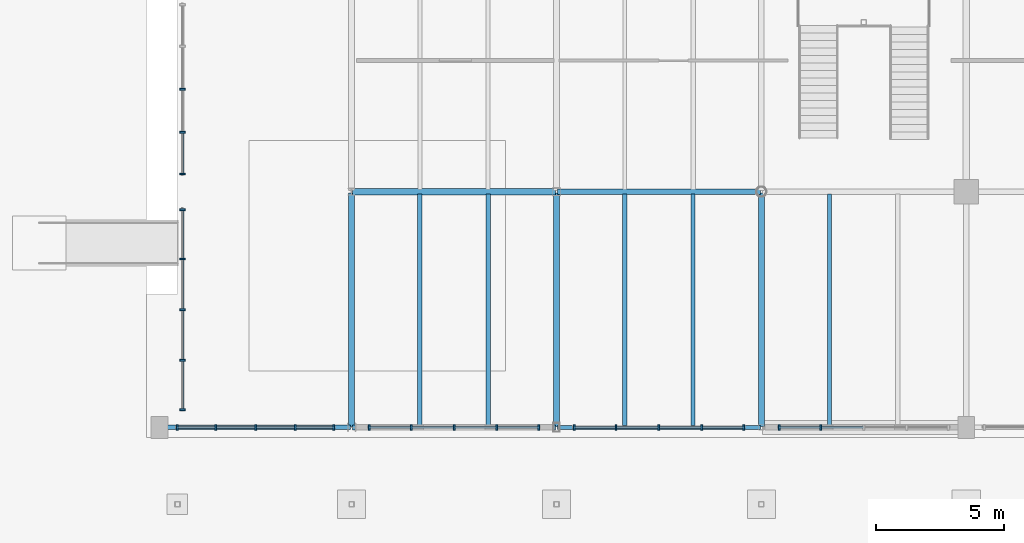
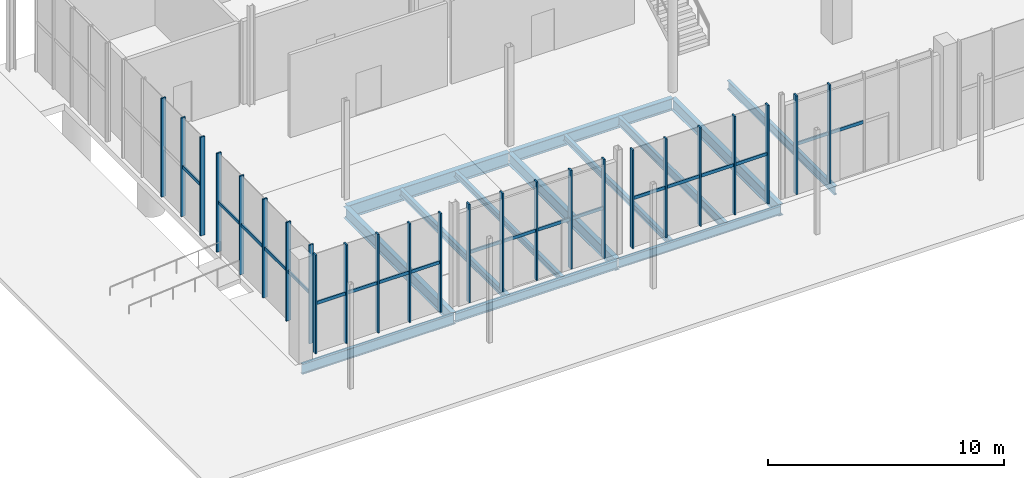
# One storey, part 34 of 87: 44 members, 13 beams, 6 elements without a shape of their own.
"""IFC4 building model written with IfcOpenShell, lengths in metres."""

from ifc_helpers import new_model, si_unit, direction, frame, origin, origin_2d, place, context, subcontext, project, spatial, rectangle, i_section, extrude, material, material_profile, profile_set, type_object, element, aggregate, save


model = new_model("IFC4")

# Units and contexts
model_context = context("Model", 3, precision=1e-05, world=origin(), true_north=direction((0.0, 1.0)))
body_context = subcontext(model_context, "Body", "Model", "MODEL_VIEW")
ifc_project = project(units=[si_unit("LENGTHUNIT", "METRE"), si_unit("AREAUNIT", "SQUARE_METRE"), si_unit("VOLUMEUNIT", "CUBIC_METRE"), si_unit("PLANEANGLEUNIT", "RADIAN"), si_unit("MASSUNIT", "GRAM", prefix="KILO")], contexts=[model_context])

# Site, building, storey
site_placement = place(None, origin())
site = spatial("IfcSite", under=ifc_project, at=site_placement, CompositionType="ELEMENT")
building_placement = place(site_placement, origin())
building = spatial("IfcBuilding", under=site, at=building_placement, Name="Brisemont Oceanarium", CompositionType="ELEMENT")
storey_placement = place(building_placement, origin())
storey = spatial("IfcBuildingStorey", under=building, at=storey_placement, Name="L00", CompositionType="ELEMENT", Elevation=0.0)

# Beams
ifc_material_1 = material(Name="Structural Steel ASTM A992 Gr.50", Category="steel")
ifc_material_profile_1 = material_profile(ifc_material_1, i_section(OverallWidth=0.1650390625, OverallDepth=0.31005859375, WebThickness=0.005859375, FlangeThickness=0.009765625, FilletRadius=0.008056640625, at=origin_2d()), Name="W12X26")
ifc_profile_set_1 = profile_set([ifc_material_profile_1], Name="Structural Steel ASTM A992 Gr.50")
beam_type_1 = type_object("IfcBeamType", Name="BM-W12X26", PredefinedType="JOIST", material=ifc_profile_set_1)
for number, where, z_axis, x_axis, name in (
    (1, (21.333251953125, 6.840087890625, -0.4951171875), (0.0, 1.0, 0.0), (-1.0, 0.0, 0.0), "V2 L00 secondary floor beam"),
    (2, (26.666748046875, 6.840087890625, -0.4951171875), (0.0, 1.0, 0.0), (-1.0, 0.0, 0.0), "V2 L00 secondary floor beam"),
):
    element("IfcBeam", number, at=place(storey_placement, frame(where, z_axis=z_axis, x_axis=x_axis)), inside=storey, type_object=beam_type_1, Name=name, PredefinedType="JOIST", context=body_context, shape_type="SweptSolid", body=[
        extrude(i_section(OverallWidth=0.1650390625, OverallDepth=0.31005859375, WebThickness=0.005859375, FlangeThickness=0.009765625, FilletRadius=0.008056640625, at=origin_2d()), origin(), (0.0, 0.0, 1.0), 9.06982421875),
    ])
ifc_material_2 = material(Name="Structural Steel ASTM A992 Gr.50", Category="steel")
ifc_material_profile_2 = material_profile(ifc_material_2, i_section(OverallWidth=0.1708984375, OverallDepth=0.35107421875, WebThickness=0.0068359375, FlangeThickness=0.009765625, FilletRadius=0.010009765625, at=origin_2d()), Name="W14X30")
ifc_profile_set_2 = profile_set([ifc_material_profile_2], Name="Structural Steel ASTM A992 Gr.50")
beam_type_2 = type_object("IfcBeamType", Name="BM-W14X30", PredefinedType="JOIST", material=ifc_profile_set_2)
beam_1_placement = place(storey_placement, frame((18.666748046875, 6.840087890625, -0.515380859375), z_axis=(0.0, 1.0, 0.0), x_axis=(-1.0, 0.0, 0.0)))
element("IfcBeam", 3, at=beam_1_placement, inside=storey, type_object=beam_type_2, Name="V2 L00 secondary floor beam", PredefinedType="JOIST", context=body_context, shape_type="SweptSolid", body=[
    extrude(i_section(OverallWidth=0.1708984375, OverallDepth=0.35107421875, WebThickness=0.0068359375, FlangeThickness=0.009765625, FilletRadius=0.010009765625, at=origin_2d()), origin(), (0.0, 0.0, 1.0), 9.06982421875),
])
ifc_material_3 = material(Name="Structural Steel ASTM A992 Gr.50", Category="steel")
ifc_material_profile_3 = material_profile(ifc_material_3, i_section(OverallWidth=0.153076171875, OverallDepth=0.455078125, WebThickness=0.008056640625, FlangeThickness=0.01318359375, FilletRadius=0.010986328125, at=origin_2d()), Name="W18X40")
ifc_profile_set_3 = profile_set([ifc_material_profile_3], Name="Structural Steel ASTM A992 Gr.50")
beam_type_3 = type_object("IfcBeamType", Name="BM-W18X40", PredefinedType="JOIST", material=ifc_profile_set_3)
for number, where, z_axis, x_axis, name in (
    (4, (29.333251953125, 6.840087890625, -0.5673828125), (0.0, 1.0, 0.0), (-1.0, 0.0, 0.0), "V2 L00 secondary floor beam"),
    (5, (34.666748046875, 6.840087890625, -0.5673828125), (0.0, 1.0, 0.0), (-1.0, 0.0, 0.0), "V2 L00 secondary floor beam"),
):
    element("IfcBeam", number, at=place(storey_placement, frame(where, z_axis=z_axis, x_axis=x_axis)), inside=storey, type_object=beam_type_3, Name=name, PredefinedType="JOIST", context=body_context, shape_type="SweptSolid", body=[
        extrude(i_section(OverallWidth=0.153076171875, OverallDepth=0.455078125, WebThickness=0.008056640625, FlangeThickness=0.01318359375, FilletRadius=0.010986328125, at=origin_2d()), origin(), (0.0, 0.0, 1.0), 9.06982421875),
    ])
ifc_material_4 = material(Name="Structural Steel ASTM A992 Gr.50", Category="steel")
ifc_material_profile_4 = material_profile(ifc_material_4, i_section(OverallWidth=0.154052734375, OverallDepth=0.458984375, WebThickness=0.009033203125, FlangeThickness=0.015380859375, FilletRadius=0.010986328125, at=origin_2d()), Name="W18X46")
ifc_profile_set_4 = profile_set([ifc_material_profile_4], Name="Structural Steel ASTM A992 Gr.50")
beam_type_4 = type_object("IfcBeamType", Name="BM-W18X46", PredefinedType="SPANDREL", material=ifc_profile_set_4)
beam_2_placement = place(storey_placement, frame((24.0400390625, 6.800048828125, -0.569580078125), z_axis=(1.0, 0.0, 0.0), x_axis=(0.0, 1.0, 0.0)))
element("IfcBeam", 6, at=beam_2_placement, inside=storey, type_object=beam_type_4, Name="V2 L00 EW girder", PredefinedType="SPANDREL", context=body_context, shape_type="SweptSolid", body=[
    extrude(i_section(OverallWidth=0.154052734375, OverallDepth=0.458984375, WebThickness=0.009033203125, FlangeThickness=0.015380859375, FilletRadius=0.010986328125, at=origin_2d()), origin(), (0.0, 0.0, 1.0), 7.919921875),
])
ifc_material_5 = material(Name="Structural Steel ASTM A992 Gr.50", Category="steel")
ifc_material_profile_5 = material_profile(ifc_material_5, i_section(OverallWidth=0.19091796875, OverallDepth=0.4599609375, WebThickness=0.010009765625, FlangeThickness=0.01611328125, FilletRadius=0.010986328125, at=origin_2d()), Name="W18X55")
ifc_profile_set_5 = profile_set([ifc_material_profile_5], Name="Structural Steel ASTM A992 Gr.50")
beam_type_5 = type_object("IfcBeamType", Name="BM-W18X55", PredefinedType="SPANDREL", material=ifc_profile_set_5)
beam_3_placement = place(storey_placement, frame((16.0400390625, 6.800048828125, -0.570068359375), z_axis=(1.0, 0.0, 0.0), x_axis=(0.0, 1.0, 0.0)))
element("IfcBeam", 7, at=beam_3_placement, inside=storey, type_object=beam_type_5, Name="V2 L00 EW girder", PredefinedType="SPANDREL", context=body_context, shape_type="SweptSolid", body=[
    extrude(i_section(OverallWidth=0.19091796875, OverallDepth=0.4599609375, WebThickness=0.010009765625, FlangeThickness=0.01611328125, FilletRadius=0.010986328125, at=origin_2d()), origin(), (0.0, 0.0, 1.0), 7.919921875),
])
ifc_material_6 = material(Name="Structural Steel ASTM A992 Gr.50", Category="steel")
ifc_material_profile_6 = material_profile(ifc_material_6, i_section(OverallWidth=0.166015625, OverallDepth=0.528076171875, WebThickness=0.009765625, FlangeThickness=0.013671875, FilletRadius=0.012939453125, at=origin_2d()), Name="W21X50")
ifc_profile_set_6 = profile_set([ifc_material_profile_6], Name="Structural Steel ASTM A992 Gr.50")
beam_type_6 = type_object("IfcBeamType", Name="BM-W21X50", PredefinedType="SPANDREL", material=ifc_profile_set_6)
beam_4_placement = place(storey_placement, frame((8.5400390625, 6.800048828125, -0.60400390625), z_axis=(1.0, 0.0, 0.0), x_axis=(0.0, 1.0, 0.0)))
element("IfcBeam", 8, at=beam_4_placement, inside=storey, type_object=beam_type_6, Name="V2 L00 EW girder", PredefinedType="SPANDREL", context=body_context, shape_type="SweptSolid", body=[
    extrude(i_section(OverallWidth=0.166015625, OverallDepth=0.528076171875, WebThickness=0.009765625, FlangeThickness=0.013671875, FilletRadius=0.012939453125, at=origin_2d()), origin(), (0.0, 0.0, 1.0), 7.419921875),
])
ifc_material_7 = material(Name="Structural Steel ASTM A992 Gr.50", Category="steel")
ifc_material_profile_7 = material_profile(ifc_material_7, i_section(OverallWidth=0.22802734375, OverallDepth=0.60205078125, WebThickness=0.010498046875, FlangeThickness=0.014892578125, FilletRadius=0.012939453125, at=origin_2d()), Name="W24X68")
ifc_profile_set_7 = profile_set([ifc_material_profile_7], Name="Structural Steel ASTM A992 Gr.50")
beam_type_7 = type_object("IfcBeamType", Name="BM-W24X68", PredefinedType="BEAM", material=ifc_profile_set_7)
beam_5_placement = place(storey_placement, frame((32.0, 6.840087890625, -0.64111328125), z_axis=(0.0, 1.0, 0.0), x_axis=(-1.0, 0.0, 0.0)))
element("IfcBeam", 9, at=beam_5_placement, inside=storey, type_object=beam_type_7, Name="V2 L00 NS girder", PredefinedType="BEAM", context=body_context, shape_type="SweptSolid", body=[
    extrude(i_section(OverallWidth=0.22802734375, OverallDepth=0.60205078125, WebThickness=0.010498046875, FlangeThickness=0.014892578125, FilletRadius=0.012939453125, at=origin_2d()), origin(), (0.0, 0.0, 1.0), 9.119873046875),
])
ifc_material_8 = material(Name="Structural Steel ASTM A992 Gr.50", Category="steel")
ifc_material_profile_8 = material_profile(ifc_material_8, i_section(OverallWidth=0.22802734375, OverallDepth=0.60791015625, WebThickness=0.01123046875, FlangeThickness=0.017333984375, FilletRadius=0.012939453125, at=origin_2d()), Name="W24X76")
ifc_profile_set_8 = profile_set([ifc_material_profile_8], Name="Structural Steel ASTM A992 Gr.50")
beam_type_8 = type_object("IfcBeamType", Name="BM-W24X76", PredefinedType="BEAM", material=ifc_profile_set_8)
beam_6_placement = place(storey_placement, frame((24.0, 6.840087890625, -0.64404296875), z_axis=(0.0, 1.0, 0.0), x_axis=(-1.0, 0.0, 0.0)))
element("IfcBeam", 10, at=beam_6_placement, inside=storey, type_object=beam_type_8, Name="V2 L00 NS girder", PredefinedType="BEAM", context=body_context, shape_type="SweptSolid", body=[
    extrude(i_section(OverallWidth=0.22802734375, OverallDepth=0.60791015625, WebThickness=0.01123046875, FlangeThickness=0.017333984375, FilletRadius=0.012939453125, at=origin_2d()), origin(), (0.0, 0.0, 1.0), 9.119873046875),
])
ifc_material_9 = material(Name="Structural Steel ASTM A992 Gr.50", Category="steel")
ifc_material_profile_9 = material_profile(ifc_material_9, i_section(OverallWidth=0.22900390625, OverallDepth=0.612060546875, WebThickness=0.011962890625, FlangeThickness=0.01953125, FilletRadius=0.012939453125, at=origin_2d()), Name="W24X84")
ifc_profile_set_9 = profile_set([ifc_material_profile_9], Name="Structural Steel ASTM A992 Gr.50")
beam_type_9 = type_object("IfcBeamType", Name="BM-W24X84", PredefinedType="BEAM", material=ifc_profile_set_9)
beam_7_placement = place(storey_placement, frame((24.0400390625, 16.0, -0.64599609375), z_axis=(1.0, 0.0, 0.0), x_axis=(0.0, 1.0, 0.0)))
element("IfcBeam", 11, at=beam_7_placement, inside=storey, type_object=beam_type_9, Name="V2 L00 EW girder", PredefinedType="BEAM", context=body_context, shape_type="SweptSolid", body=[
    extrude(i_section(OverallWidth=0.22900390625, OverallDepth=0.612060546875, WebThickness=0.011962890625, FlangeThickness=0.01953125, FilletRadius=0.012939453125, at=origin_2d()), origin(), (0.0, 0.0, 1.0), 7.919921875),
])
beam_8_placement = place(storey_placement, frame((16.0, 6.840087890625, -0.64599609375), z_axis=(0.0, 1.0, 0.0), x_axis=(-1.0, 0.0, 0.0)))
element("IfcBeam", 12, at=beam_8_placement, inside=storey, type_object=beam_type_9, Name="V2 L00 NS girder", PredefinedType="BEAM", context=body_context, shape_type="SweptSolid", body=[
    extrude(i_section(OverallWidth=0.22900390625, OverallDepth=0.612060546875, WebThickness=0.011962890625, FlangeThickness=0.01953125, FilletRadius=0.012939453125, at=origin_2d()), origin(), (0.0, 0.0, 1.0), 9.119873046875),
])
ifc_material_10 = material(Name="Structural Steel ASTM A992 Gr.50", Category="steel")
ifc_material_profile_10 = material_profile(ifc_material_10, i_section(OverallWidth=0.2529296875, OverallDepth=0.677978515625, WebThickness=0.01171875, FlangeThickness=0.016357421875, FilletRadius=0.014892578125, at=origin_2d()), Name="W27X84")
ifc_profile_set_10 = profile_set([ifc_material_profile_10], Name="Structural Steel ASTM A992 Gr.50")
beam_type_10 = type_object("IfcBeamType", Name="BM-W27X84", PredefinedType="BEAM", material=ifc_profile_set_10)
beam_9_placement = place(storey_placement, frame((16.0400390625, 16.0, -0.678955078125), z_axis=(1.0, 0.0, 0.0), x_axis=(0.0, 1.0, 0.0)))
element("IfcBeam", 13, at=beam_9_placement, inside=storey, type_object=beam_type_10, Name="V2 L00 EW girder", PredefinedType="BEAM", context=body_context, shape_type="SweptSolid", body=[
    extrude(i_section(OverallWidth=0.2529296875, OverallDepth=0.677978515625, WebThickness=0.01171875, FlangeThickness=0.016357421875, FilletRadius=0.014892578125, at=origin_2d()), origin(), (0.0, 0.0, 1.0), 7.919921875),
])

# Curtain wall, members
ifc_material_11 = material(Name="Anodized Extruded Aluminum 6063-T6", Category="aluminium")
curtain_wall_type = type_object("IfcCurtainWallType", Name="CW-HALL-69X50", PredefinedType="NOTDEFINED", material=ifc_material_11)
curtain_wall_1_placement = place(storey_placement, origin())
curtain_wall_1 = element("IfcCurtainWall", 14, at=curtain_wall_1_placement, inside=storey, type_object=curtain_wall_type, Name="CW-04 curtain wall CW-V2-S-L00-01", PredefinedType="NOTDEFINED")
ifc_material_12 = material(Name="Anodized Extruded Aluminum 6063-T6", Category="aluminium")
ifc_material_profile_11 = material_profile(ifc_material_12, rectangle(XDim=0.074951171875, YDim=0.219970703125, at=origin_2d()), Name="CWM-75X220")
ifc_profile_set_11 = profile_set([ifc_material_profile_11], Name="Anodized Extruded Aluminum 6063-T6")
member_type_1 = type_object("IfcMemberType", Name="MEM-CWM-75", PredefinedType="MULLION", material=ifc_profile_set_11)
member_1_placement = place(storey_placement, frame((9.195068359375, 6.800048828125, 0.0), z_axis=(0.0, 0.0, 1.0), x_axis=(1.0, 0.0, 0.0)))
member_1 = element("IfcMember", 15, at=member_1_placement, type_object=member_type_1, Name="CW-V2-S-L00-01 mullion 1", PredefinedType="MULLION", context=body_context, shape_type="SweptSolid", body=[
    extrude(rectangle(XDim=0.074951171875, YDim=0.219970703125, at=origin_2d()), origin(), (0.0, 0.0, 1.0), 5.10009765625),
])
member_2_placement = place(storey_placement, frame((10.699951171875, 6.800048828125, 0.0), z_axis=(0.0, 0.0, 1.0), x_axis=(1.0, 0.0, 0.0)))
member_2 = element("IfcMember", 16, at=member_2_placement, type_object=member_type_1, Name="CW-V2-S-L00-01 mullion 2", PredefinedType="MULLION", context=body_context, shape_type="SweptSolid", body=[
    extrude(rectangle(XDim=0.074951171875, YDim=0.219970703125, at=origin_2d()), origin(), (0.0, 0.0, 1.0), 5.10009765625),
])
member_3_placement = place(storey_placement, frame((12.25, 6.800048828125, 0.0), z_axis=(0.0, 0.0, 1.0), x_axis=(1.0, 0.0, 0.0)))
member_3 = element("IfcMember", 17, at=member_3_placement, type_object=member_type_1, Name="CW-V2-S-L00-01 mullion 3", PredefinedType="MULLION", context=body_context, shape_type="SweptSolid", body=[
    extrude(rectangle(XDim=0.074951171875, YDim=0.219970703125, at=origin_2d()), origin(), (0.0, 0.0, 1.0), 5.10009765625),
])
member_4_placement = place(storey_placement, frame((13.800048828125, 6.800048828125, 0.0), z_axis=(0.0, 0.0, 1.0), x_axis=(1.0, 0.0, 0.0)))
member_4 = element("IfcMember", 18, at=member_4_placement, type_object=member_type_1, Name="CW-V2-S-L00-01 mullion 4", PredefinedType="MULLION", context=body_context, shape_type="SweptSolid", body=[
    extrude(rectangle(XDim=0.074951171875, YDim=0.219970703125, at=origin_2d()), origin(), (0.0, 0.0, 1.0), 5.10009765625),
])
member_5_placement = place(storey_placement, frame((15.304931640625, 6.800048828125, 0.0), z_axis=(0.0, 0.0, 1.0), x_axis=(1.0, 0.0, 0.0)))
member_5 = element("IfcMember", 19, at=member_5_placement, type_object=member_type_1, Name="CW-V2-S-L00-01 mullion 5", PredefinedType="MULLION", context=body_context, shape_type="SweptSolid", body=[
    extrude(rectangle(XDim=0.074951171875, YDim=0.219970703125, at=origin_2d()), origin(), (0.0, 0.0, 1.0), 5.10009765625),
])

curtain_wall_2_placement = place(storey_placement, origin())
curtain_wall_2 = element("IfcCurtainWall", 20, at=curtain_wall_2_placement, inside=storey, type_object=curtain_wall_type, Name="CW-04 curtain wall CW-V2-S-L00-02", PredefinedType="NOTDEFINED")
member_6_placement = place(storey_placement, frame((16.695068359375, 6.800048828125, 0.0), z_axis=(0.0, 0.0, 1.0), x_axis=(1.0, 0.0, 0.0)))
member_6 = element("IfcMember", 21, at=member_6_placement, type_object=member_type_1, Name="CW-V2-S-L00-02 mullion 1", PredefinedType="MULLION", context=body_context, shape_type="SweptSolid", body=[
    extrude(rectangle(XDim=0.074951171875, YDim=0.219970703125, at=origin_2d()), origin(), (0.0, 0.0, 1.0), 5.10009765625),
])
member_7_placement = place(storey_placement, frame((18.324951171875, 6.800048828125, 0.0), z_axis=(0.0, 0.0, 1.0), x_axis=(1.0, 0.0, 0.0)))
member_7 = element("IfcMember", 22, at=member_7_placement, type_object=member_type_1, Name="CW-V2-S-L00-02 mullion 2", PredefinedType="MULLION", context=body_context, shape_type="SweptSolid", body=[
    extrude(rectangle(XDim=0.074951171875, YDim=0.219970703125, at=origin_2d()), origin(), (0.0, 0.0, 1.0), 5.10009765625),
])
member_8_placement = place(storey_placement, frame((20.0, 6.800048828125, 0.0), z_axis=(0.0, 0.0, 1.0), x_axis=(1.0, 0.0, 0.0)))
member_8 = element("IfcMember", 23, at=member_8_placement, type_object=member_type_1, Name="CW-V2-S-L00-02 mullion 3", PredefinedType="MULLION", context=body_context, shape_type="SweptSolid", body=[
    extrude(rectangle(XDim=0.074951171875, YDim=0.219970703125, at=origin_2d()), origin(), (0.0, 0.0, 1.0), 5.10009765625),
])
member_9_placement = place(storey_placement, frame((21.675048828125, 6.800048828125, 0.0), z_axis=(0.0, 0.0, 1.0), x_axis=(1.0, 0.0, 0.0)))
member_9 = element("IfcMember", 24, at=member_9_placement, type_object=member_type_1, Name="CW-V2-S-L00-02 mullion 4", PredefinedType="MULLION", context=body_context, shape_type="SweptSolid", body=[
    extrude(rectangle(XDim=0.074951171875, YDim=0.219970703125, at=origin_2d()), origin(), (0.0, 0.0, 1.0), 5.10009765625),
])
member_10_placement = place(storey_placement, frame((23.304931640625, 6.800048828125, 0.0), z_axis=(0.0, 0.0, 1.0), x_axis=(1.0, 0.0, 0.0)))
member_10 = element("IfcMember", 25, at=member_10_placement, type_object=member_type_1, Name="CW-V2-S-L00-02 mullion 5", PredefinedType="MULLION", context=body_context, shape_type="SweptSolid", body=[
    extrude(rectangle(XDim=0.074951171875, YDim=0.219970703125, at=origin_2d()), origin(), (0.0, 0.0, 1.0), 5.10009765625),
])

curtain_wall_3_placement = place(storey_placement, origin())
curtain_wall_3 = element("IfcCurtainWall", 26, at=curtain_wall_3_placement, inside=storey, type_object=curtain_wall_type, Name="CW-04 curtain wall CW-V2-S-L00-03", PredefinedType="NOTDEFINED")
member_11_placement = place(storey_placement, frame((24.695068359375, 6.800048828125, 0.0), z_axis=(0.0, 0.0, 1.0), x_axis=(1.0, 0.0, 0.0)))
member_11 = element("IfcMember", 27, at=member_11_placement, type_object=member_type_1, Name="CW-V2-S-L00-03 mullion 1", PredefinedType="MULLION", context=body_context, shape_type="SweptSolid", body=[
    extrude(rectangle(XDim=0.074951171875, YDim=0.219970703125, at=origin_2d()), origin(), (0.0, 0.0, 1.0), 5.10009765625),
])
member_12_placement = place(storey_placement, frame((26.324951171875, 6.800048828125, 0.0), z_axis=(0.0, 0.0, 1.0), x_axis=(1.0, 0.0, 0.0)))
member_12 = element("IfcMember", 28, at=member_12_placement, type_object=member_type_1, Name="CW-V2-S-L00-03 mullion 2", PredefinedType="MULLION", context=body_context, shape_type="SweptSolid", body=[
    extrude(rectangle(XDim=0.074951171875, YDim=0.219970703125, at=origin_2d()), origin(), (0.0, 0.0, 1.0), 5.10009765625),
])
member_13_placement = place(storey_placement, frame((28.0, 6.800048828125, 0.0), z_axis=(0.0, 0.0, 1.0), x_axis=(1.0, 0.0, 0.0)))
member_13 = element("IfcMember", 29, at=member_13_placement, type_object=member_type_1, Name="CW-V2-S-L00-03 mullion 3", PredefinedType="MULLION", context=body_context, shape_type="SweptSolid", body=[
    extrude(rectangle(XDim=0.074951171875, YDim=0.219970703125, at=origin_2d()), origin(), (0.0, 0.0, 1.0), 5.10009765625),
])
member_14_placement = place(storey_placement, frame((29.675048828125, 6.800048828125, 0.0), z_axis=(0.0, 0.0, 1.0), x_axis=(1.0, 0.0, 0.0)))
member_14 = element("IfcMember", 30, at=member_14_placement, type_object=member_type_1, Name="CW-V2-S-L00-03 mullion 4", PredefinedType="MULLION", context=body_context, shape_type="SweptSolid", body=[
    extrude(rectangle(XDim=0.074951171875, YDim=0.219970703125, at=origin_2d()), origin(), (0.0, 0.0, 1.0), 5.10009765625),
])
member_15_placement = place(storey_placement, frame((31.304931640625, 6.800048828125, 0.0), z_axis=(0.0, 0.0, 1.0), x_axis=(1.0, 0.0, 0.0)))
member_15 = element("IfcMember", 31, at=member_15_placement, type_object=member_type_1, Name="CW-V2-S-L00-03 mullion 5", PredefinedType="MULLION", context=body_context, shape_type="SweptSolid", body=[
    extrude(rectangle(XDim=0.074951171875, YDim=0.219970703125, at=origin_2d()), origin(), (0.0, 0.0, 1.0), 5.10009765625),
])

curtain_wall_4_placement = place(storey_placement, origin())
curtain_wall_4 = element("IfcCurtainWall", 32, at=curtain_wall_4_placement, inside=storey, type_object=curtain_wall_type, Name="CW-04 curtain wall CW-V2-S-L00-04", PredefinedType="NOTDEFINED")
member_16_placement = place(storey_placement, frame((32.695068359375, 6.800048828125, 0.0), z_axis=(0.0, 0.0, 1.0), x_axis=(1.0, 0.0, 0.0)))
member_16 = element("IfcMember", 33, at=member_16_placement, type_object=member_type_1, Name="CW-V2-S-L00-04 mullion 1", PredefinedType="MULLION", context=body_context, shape_type="SweptSolid", body=[
    extrude(rectangle(XDim=0.074951171875, YDim=0.219970703125, at=origin_2d()), origin(), (0.0, 0.0, 1.0), 5.10009765625),
])
member_17_placement = place(storey_placement, frame((34.324951171875, 6.800048828125, 0.0), z_axis=(0.0, 0.0, 1.0), x_axis=(1.0, 0.0, 0.0)))
member_17 = element("IfcMember", 34, at=member_17_placement, type_object=member_type_1, Name="CW-V2-S-L00-04 mullion 2", PredefinedType="MULLION", context=body_context, shape_type="SweptSolid", body=[
    extrude(rectangle(XDim=0.074951171875, YDim=0.219970703125, at=origin_2d()), origin(), (0.0, 0.0, 1.0), 5.10009765625),
])

curtain_wall_5_placement = place(storey_placement, origin())
curtain_wall_5 = element("IfcCurtainWall", 35, at=curtain_wall_5_placement, inside=storey, type_object=curtain_wall_type, Name="CW-04 curtain wall CW-V2-W-L00-01", PredefinedType="NOTDEFINED")
member_18_placement = place(storey_placement, frame((9.39990234375, 7.4951171875, 0.0), z_axis=(0.0, 0.0, 1.0), x_axis=(0.0, 1.0, 0.0)))
member_18 = element("IfcMember", 36, at=member_18_placement, type_object=member_type_1, Name="CW-V2-W-L00-01 mullion 1", PredefinedType="MULLION", context=body_context, shape_type="SweptSolid", body=[
    extrude(rectangle(XDim=0.074951171875, YDim=0.219970703125, at=origin_2d()), origin(), (0.0, 0.0, 1.0), 5.10009765625),
])
member_19_placement = place(storey_placement, frame((9.39990234375, 9.425048828125, 0.0), z_axis=(0.0, 0.0, 1.0), x_axis=(0.0, 1.0, 0.0)))
member_19 = element("IfcMember", 37, at=member_19_placement, type_object=member_type_1, Name="CW-V2-W-L00-01 mullion 2", PredefinedType="MULLION", context=body_context, shape_type="SweptSolid", body=[
    extrude(rectangle(XDim=0.074951171875, YDim=0.219970703125, at=origin_2d()), origin(), (0.0, 0.0, 1.0), 5.10009765625),
])
member_20_placement = place(storey_placement, frame((9.39990234375, 11.39990234375, 0.0), z_axis=(0.0, 0.0, 1.0), x_axis=(0.0, 1.0, 0.0)))
member_20 = element("IfcMember", 38, at=member_20_placement, type_object=member_type_1, Name="CW-V2-W-L00-01 mullion 3", PredefinedType="MULLION", context=body_context, shape_type="SweptSolid", body=[
    extrude(rectangle(XDim=0.074951171875, YDim=0.219970703125, at=origin_2d()), origin(), (0.0, 0.0, 1.0), 5.10009765625),
])
member_21_placement = place(storey_placement, frame((9.39990234375, 13.375, 0.0), z_axis=(0.0, 0.0, 1.0), x_axis=(0.0, 1.0, 0.0)))
member_21 = element("IfcMember", 39, at=member_21_placement, type_object=member_type_1, Name="CW-V2-W-L00-01 mullion 4", PredefinedType="MULLION", context=body_context, shape_type="SweptSolid", body=[
    extrude(rectangle(XDim=0.074951171875, YDim=0.219970703125, at=origin_2d()), origin(), (0.0, 0.0, 1.0), 5.10009765625),
])
member_22_placement = place(storey_placement, frame((9.39990234375, 15.304931640625, 0.0), z_axis=(0.0, 0.0, 1.0), x_axis=(0.0, 1.0, 0.0)))
member_22 = element("IfcMember", 40, at=member_22_placement, type_object=member_type_1, Name="CW-V2-W-L00-01 mullion 5", PredefinedType="MULLION", context=body_context, shape_type="SweptSolid", body=[
    extrude(rectangle(XDim=0.074951171875, YDim=0.219970703125, at=origin_2d()), origin(), (0.0, 0.0, 1.0), 5.10009765625),
])

curtain_wall_6_placement = place(storey_placement, origin())
curtain_wall_6 = element("IfcCurtainWall", 41, at=curtain_wall_6_placement, inside=storey, type_object=curtain_wall_type, Name="CW-04 curtain wall CW-V2-W-L00-02", PredefinedType="NOTDEFINED")
member_23_placement = place(storey_placement, frame((9.39990234375, 16.695068359375, 0.0), z_axis=(0.0, 0.0, 1.0), x_axis=(0.0, 1.0, 0.0)))
member_23 = element("IfcMember", 42, at=member_23_placement, type_object=member_type_1, Name="CW-V2-W-L00-02 mullion 1", PredefinedType="MULLION", context=body_context, shape_type="SweptSolid", body=[
    extrude(rectangle(XDim=0.074951171875, YDim=0.219970703125, at=origin_2d()), origin(), (0.0, 0.0, 1.0), 5.10009765625),
])
member_24_placement = place(storey_placement, frame((9.39990234375, 18.324951171875, 0.0), z_axis=(0.0, 0.0, 1.0), x_axis=(0.0, 1.0, 0.0)))
member_24 = element("IfcMember", 43, at=member_24_placement, type_object=member_type_1, Name="CW-V2-W-L00-02 mullion 2", PredefinedType="MULLION", context=body_context, shape_type="SweptSolid", body=[
    extrude(rectangle(XDim=0.074951171875, YDim=0.219970703125, at=origin_2d()), origin(), (0.0, 0.0, 1.0), 5.10009765625),
])
member_25_placement = place(storey_placement, frame((9.39990234375, 20.0, 0.0), z_axis=(0.0, 0.0, 1.0), x_axis=(0.0, 1.0, 0.0)))
member_25 = element("IfcMember", 44, at=member_25_placement, type_object=member_type_1, Name="CW-V2-W-L00-02 mullion 3", PredefinedType="MULLION", context=body_context, shape_type="SweptSolid", body=[
    extrude(rectangle(XDim=0.074951171875, YDim=0.219970703125, at=origin_2d()), origin(), (0.0, 0.0, 1.0), 5.10009765625),
])

# Member
ifc_material_13 = material(Name="Anodized Extruded Aluminum 6063-T6", Category="aluminium")
ifc_material_profile_12 = material_profile(ifc_material_13, rectangle(XDim=0.074951171875, YDim=0.1650390625, at=origin_2d()), Name="CWT-75X165")
ifc_profile_set_12 = profile_set([ifc_material_profile_12], Name="Anodized Extruded Aluminum 6063-T6")
member_type_2 = type_object("IfcMemberType", Name="MEM-CWT-75", PredefinedType="USERDEFINED", material=ifc_profile_set_12)
member_26_placement = place(storey_placement, frame((9.1650390625, 6.800048828125, 2.550048828125), z_axis=(1.0, 0.0, 0.0), x_axis=(0.0, 1.0, 0.0)))
member_26 = element("IfcMember", 45, at=member_26_placement, type_object=member_type_2, Name="CW-V2-S-L00-01 transom 1.1", ObjectType="TRANSOM", PredefinedType="USERDEFINED", context=body_context, shape_type="SweptSolid", body=[
    extrude(rectangle(XDim=0.074951171875, YDim=0.1650390625, at=origin_2d()), origin(), (0.0, 0.0, 1.0), 1.52001953125),
])

member_27_placement = place(storey_placement, frame((10.715087890625, 6.800048828125, 2.550048828125), z_axis=(1.0, 0.0, 0.0), x_axis=(0.0, 1.0, 0.0)))
member_27 = element("IfcMember", 46, at=member_27_placement, type_object=member_type_2, Name="CW-V2-S-L00-01 transom 2.1", ObjectType="TRANSOM", PredefinedType="USERDEFINED", context=body_context, shape_type="SweptSolid", body=[
    extrude(rectangle(XDim=0.074951171875, YDim=0.1650390625, at=origin_2d()), origin(), (0.0, 0.0, 1.0), 1.52001953125),
])

member_28_placement = place(storey_placement, frame((12.264892578125, 6.800048828125, 2.550048828125), z_axis=(1.0, 0.0, 0.0), x_axis=(0.0, 1.0, 0.0)))
member_28 = element("IfcMember", 47, at=member_28_placement, type_object=member_type_2, Name="CW-V2-S-L00-01 transom 3.1", ObjectType="TRANSOM", PredefinedType="USERDEFINED", context=body_context, shape_type="SweptSolid", body=[
    extrude(rectangle(XDim=0.074951171875, YDim=0.1650390625, at=origin_2d()), origin(), (0.0, 0.0, 1.0), 1.52001953125),
])

member_29_placement = place(storey_placement, frame((13.81494140625, 6.800048828125, 2.550048828125), z_axis=(1.0, 0.0, 0.0), x_axis=(0.0, 1.0, 0.0)))
member_29 = element("IfcMember", 48, at=member_29_placement, type_object=member_type_2, Name="CW-V2-S-L00-01 transom 4.1", ObjectType="TRANSOM", PredefinedType="USERDEFINED", context=body_context, shape_type="SweptSolid", body=[
    extrude(rectangle(XDim=0.074951171875, YDim=0.1650390625, at=origin_2d()), origin(), (0.0, 0.0, 1.0), 1.52001953125),
])

aggregate(curtain_wall_1, [member_1, member_2, member_3, member_4, member_5, member_26, member_27, member_28, member_29])

member_30_placement = place(storey_placement, frame((16.6650390625, 6.800048828125, 2.550048828125), z_axis=(1.0, 0.0, 0.0), x_axis=(0.0, 1.0, 0.0)))
member_30 = element("IfcMember", 49, at=member_30_placement, type_object=member_type_2, Name="CW-V2-S-L00-02 transom 1.1", ObjectType="TRANSOM", PredefinedType="USERDEFINED", context=body_context, shape_type="SweptSolid", body=[
    extrude(rectangle(XDim=0.074951171875, YDim=0.1650390625, at=origin_2d()), origin(), (0.0, 0.0, 1.0), 1.64501953125),
])

member_31_placement = place(storey_placement, frame((18.340087890625, 6.800048828125, 2.550048828125), z_axis=(1.0, 0.0, 0.0), x_axis=(0.0, 1.0, 0.0)))
member_31 = element("IfcMember", 50, at=member_31_placement, type_object=member_type_2, Name="CW-V2-S-L00-02 transom 2.1", ObjectType="TRANSOM", PredefinedType="USERDEFINED", context=body_context, shape_type="SweptSolid", body=[
    extrude(rectangle(XDim=0.074951171875, YDim=0.1650390625, at=origin_2d()), origin(), (0.0, 0.0, 1.0), 1.64501953125),
])

member_32_placement = place(storey_placement, frame((20.014892578125, 6.800048828125, 2.550048828125), z_axis=(1.0, 0.0, 0.0), x_axis=(0.0, 1.0, 0.0)))
member_32 = element("IfcMember", 51, at=member_32_placement, type_object=member_type_2, Name="CW-V2-S-L00-02 transom 3.1", ObjectType="TRANSOM", PredefinedType="USERDEFINED", context=body_context, shape_type="SweptSolid", body=[
    extrude(rectangle(XDim=0.074951171875, YDim=0.1650390625, at=origin_2d()), origin(), (0.0, 0.0, 1.0), 1.64501953125),
])

member_33_placement = place(storey_placement, frame((21.68994140625, 6.800048828125, 2.550048828125), z_axis=(1.0, 0.0, 0.0), x_axis=(0.0, 1.0, 0.0)))
member_33 = element("IfcMember", 52, at=member_33_placement, type_object=member_type_2, Name="CW-V2-S-L00-02 transom 4.1", ObjectType="TRANSOM", PredefinedType="USERDEFINED", context=body_context, shape_type="SweptSolid", body=[
    extrude(rectangle(XDim=0.074951171875, YDim=0.1650390625, at=origin_2d()), origin(), (0.0, 0.0, 1.0), 1.64501953125),
])

aggregate(curtain_wall_2, [member_6, member_7, member_8, member_9, member_10, member_30, member_31, member_32, member_33])

member_34_placement = place(storey_placement, frame((24.6650390625, 6.800048828125, 2.550048828125), z_axis=(1.0, 0.0, 0.0), x_axis=(0.0, 1.0, 0.0)))
member_34 = element("IfcMember", 53, at=member_34_placement, type_object=member_type_2, Name="CW-V2-S-L00-03 transom 1.1", ObjectType="TRANSOM", PredefinedType="USERDEFINED", context=body_context, shape_type="SweptSolid", body=[
    extrude(rectangle(XDim=0.074951171875, YDim=0.1650390625, at=origin_2d()), origin(), (0.0, 0.0, 1.0), 1.64501953125),
])

member_35_placement = place(storey_placement, frame((26.340087890625, 6.800048828125, 2.550048828125), z_axis=(1.0, 0.0, 0.0), x_axis=(0.0, 1.0, 0.0)))
member_35 = element("IfcMember", 54, at=member_35_placement, type_object=member_type_2, Name="CW-V2-S-L00-03 transom 2.1", ObjectType="TRANSOM", PredefinedType="USERDEFINED", context=body_context, shape_type="SweptSolid", body=[
    extrude(rectangle(XDim=0.074951171875, YDim=0.1650390625, at=origin_2d()), origin(), (0.0, 0.0, 1.0), 1.64501953125),
])

member_36_placement = place(storey_placement, frame((28.014892578125, 6.800048828125, 2.550048828125), z_axis=(1.0, 0.0, 0.0), x_axis=(0.0, 1.0, 0.0)))
member_36 = element("IfcMember", 55, at=member_36_placement, type_object=member_type_2, Name="CW-V2-S-L00-03 transom 3.1", ObjectType="TRANSOM", PredefinedType="USERDEFINED", context=body_context, shape_type="SweptSolid", body=[
    extrude(rectangle(XDim=0.074951171875, YDim=0.1650390625, at=origin_2d()), origin(), (0.0, 0.0, 1.0), 1.64501953125),
])

member_37_placement = place(storey_placement, frame((29.68994140625, 6.800048828125, 2.550048828125), z_axis=(1.0, 0.0, 0.0), x_axis=(0.0, 1.0, 0.0)))
member_37 = element("IfcMember", 56, at=member_37_placement, type_object=member_type_2, Name="CW-V2-S-L00-03 transom 4.1", ObjectType="TRANSOM", PredefinedType="USERDEFINED", context=body_context, shape_type="SweptSolid", body=[
    extrude(rectangle(XDim=0.074951171875, YDim=0.1650390625, at=origin_2d()), origin(), (0.0, 0.0, 1.0), 1.64501953125),
])

aggregate(curtain_wall_3, [member_11, member_12, member_13, member_14, member_15, member_34, member_35, member_36, member_37])

member_38_placement = place(storey_placement, frame((32.6650390625, 6.800048828125, 2.550048828125), z_axis=(1.0, 0.0, 0.0), x_axis=(0.0, 1.0, 0.0)))
member_38 = element("IfcMember", 57, at=member_38_placement, type_object=member_type_2, Name="CW-V2-S-L00-04 transom 1.1", ObjectType="TRANSOM", PredefinedType="USERDEFINED", context=body_context, shape_type="SweptSolid", body=[
    extrude(rectangle(XDim=0.074951171875, YDim=0.1650390625, at=origin_2d()), origin(), (0.0, 0.0, 1.0), 1.64501953125),
])

member_39_placement = place(storey_placement, frame((34.340087890625, 6.800048828125, 2.550048828125), z_axis=(1.0, 0.0, 0.0), x_axis=(0.0, 1.0, 0.0)))
member_39 = element("IfcMember", 58, at=member_39_placement, type_object=member_type_2, Name="CW-V2-S-L00-04 transom 2.1", ObjectType="TRANSOM", PredefinedType="USERDEFINED", context=body_context, shape_type="SweptSolid", body=[
    extrude(rectangle(XDim=0.074951171875, YDim=0.1650390625, at=origin_2d()), origin(), (0.0, 0.0, 1.0), 1.64501953125),
])

aggregate(curtain_wall_4, [member_16, member_17, member_38, member_39])

member_40_placement = place(storey_placement, frame((9.39990234375, 7.465087890625, 2.550048828125), z_axis=(0.0, 1.0, 0.0), x_axis=(-1.0, 0.0, 0.0)))
member_40 = element("IfcMember", 59, at=member_40_placement, type_object=member_type_2, Name="CW-V2-W-L00-01 transom 1.1", ObjectType="TRANSOM", PredefinedType="USERDEFINED", context=body_context, shape_type="SweptSolid", body=[
    extrude(rectangle(XDim=0.074951171875, YDim=0.1650390625, at=origin_2d()), origin(), (0.0, 0.0, 1.0), 1.94482421875),
])

member_41_placement = place(storey_placement, frame((9.39990234375, 9.43994140625, 2.550048828125), z_axis=(0.0, 1.0, 0.0), x_axis=(-1.0, 0.0, 0.0)))
member_41 = element("IfcMember", 60, at=member_41_placement, type_object=member_type_2, Name="CW-V2-W-L00-01 transom 2.1", ObjectType="TRANSOM", PredefinedType="USERDEFINED", context=body_context, shape_type="SweptSolid", body=[
    extrude(rectangle(XDim=0.074951171875, YDim=0.1650390625, at=origin_2d()), origin(), (0.0, 0.0, 1.0), 1.945068359375),
])

member_42_placement = place(storey_placement, frame((9.39990234375, 11.4150390625, 2.550048828125), z_axis=(0.0, 1.0, 0.0), x_axis=(-1.0, 0.0, 0.0)))
member_42 = element("IfcMember", 61, at=member_42_placement, type_object=member_type_2, Name="CW-V2-W-L00-01 transom 3.1", ObjectType="TRANSOM", PredefinedType="USERDEFINED", context=body_context, shape_type="SweptSolid", body=[
    extrude(rectangle(XDim=0.074951171875, YDim=0.1650390625, at=origin_2d()), origin(), (0.0, 0.0, 1.0), 1.945068359375),
])

member_43_placement = place(storey_placement, frame((9.39990234375, 13.389892578125, 2.550048828125), z_axis=(0.0, 1.0, 0.0), x_axis=(-1.0, 0.0, 0.0)))
member_43 = element("IfcMember", 62, at=member_43_placement, type_object=member_type_2, Name="CW-V2-W-L00-01 transom 4.1", ObjectType="TRANSOM", PredefinedType="USERDEFINED", context=body_context, shape_type="SweptSolid", body=[
    extrude(rectangle(XDim=0.074951171875, YDim=0.1650390625, at=origin_2d()), origin(), (0.0, 0.0, 1.0), 1.945068359375),
])

aggregate(curtain_wall_5, [member_18, member_19, member_20, member_21, member_22, member_40, member_41, member_42, member_43])

member_44_placement = place(storey_placement, frame((9.39990234375, 16.6650390625, 2.550048828125), z_axis=(0.0, 1.0, 0.0), x_axis=(-1.0, 0.0, 0.0)))
member_44 = element("IfcMember", 63, at=member_44_placement, type_object=member_type_2, Name="CW-V2-W-L00-02 transom 1.1", ObjectType="TRANSOM", PredefinedType="USERDEFINED", context=body_context, shape_type="SweptSolid", body=[
    extrude(rectangle(XDim=0.074951171875, YDim=0.1650390625, at=origin_2d()), origin(), (0.0, 0.0, 1.0), 1.64501953125),
])

aggregate(curtain_wall_6, [member_23, member_24, member_25, member_44])

save(model, "model.ifc")
